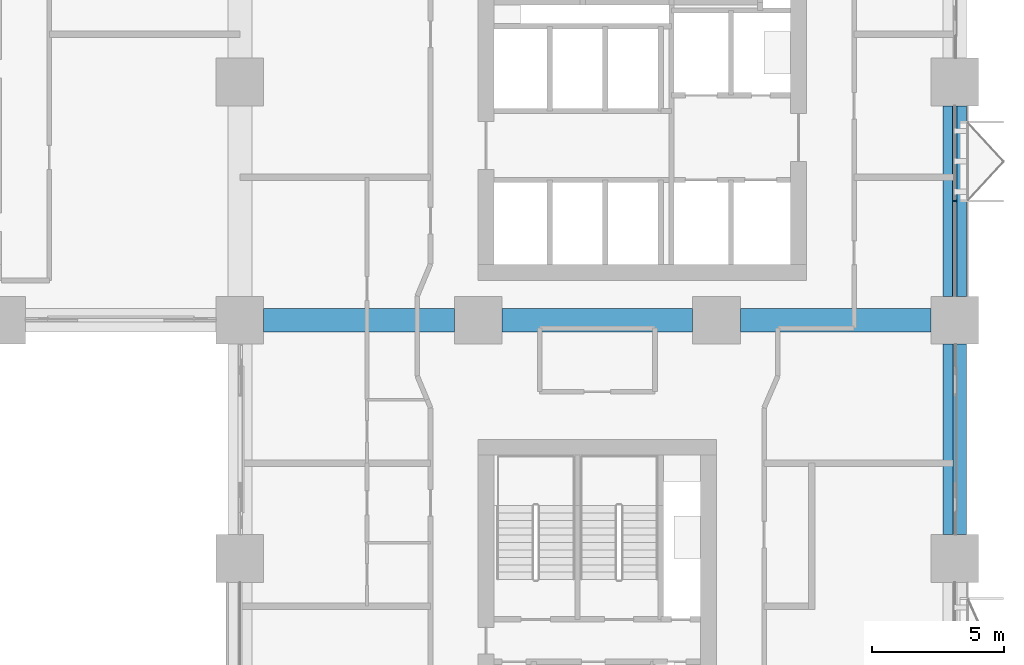
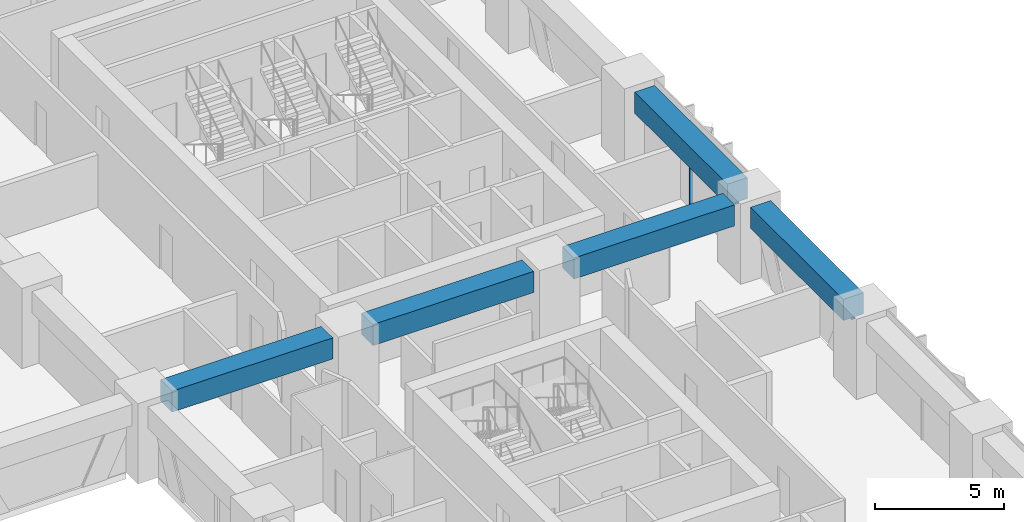
# One storey, part 5 of 18: 5 beams, 3 members, 2 elements without a shape of their own.
"""IFC4 building model written with IfcOpenShell, lengths in metres."""

from ifc_helpers import new_model, si_unit, direction, frame, origin, origin_2d, place, context, subcontext, project, spatial, rectangle, extrude, material, material_profile, profile_set, type_object, element, aggregate, save


model = new_model("IFC4")

# Units and contexts
model_context = context("Model", 3, precision=1e-05, world=origin(), true_north=direction((0.0, 1.0)))
body_context = subcontext(model_context, "Body", "Model", "MODEL_VIEW")
ifc_project = project(units=[si_unit("LENGTHUNIT", "METRE"), si_unit("AREAUNIT", "SQUARE_METRE"), si_unit("VOLUMEUNIT", "CUBIC_METRE"), si_unit("PLANEANGLEUNIT", "RADIAN"), si_unit("MASSUNIT", "GRAM", prefix="KILO")], contexts=[model_context])

# Site, building, storey
site_placement = place(None, origin())
site = spatial("IfcSite", under=ifc_project, at=site_placement, CompositionType="ELEMENT")
building_placement = place(site_placement, origin())
building = spatial("IfcBuilding", under=site, at=building_placement, Name="Tessera Arch", CompositionType="ELEMENT")
storey_placement = place(building_placement, frame((0.0, 0.0, 89.199951171875)))
storey = spatial("IfcBuildingStorey", under=building, at=storey_placement, Name="L20", CompositionType="ELEMENT", Elevation=89.199951171875)

# Curtain wall, members
ifc_material_1 = material(Name="CW1 curtain wall")
curtain_wall_type_1 = type_object("IfcCurtainWallType", Name="CW1 curtain wall", PredefinedType="NOTDEFINED", material=ifc_material_1)
curtain_wall_1_placement = place(storey_placement, origin())
curtain_wall_1 = element("IfcCurtainWall", 1, at=curtain_wall_1_placement, inside=storey, type_object=curtain_wall_type_1, Name="CW1 curtain wall E54.0/3 L20", PredefinedType="NOTDEFINED")
ifc_material_2 = material(Name="Anodised aluminium pale metal", Category="aluminium")
ifc_material_profile_1 = material_profile(ifc_material_2, rectangle(XDim=0.159912109375, YDim=0.06005859375, at=origin_2d()), Name="AL 60x160")
ifc_profile_set_1 = profile_set([ifc_material_profile_1], Name="Anodised aluminium pale metal")
member_type_1 = type_object("IfcMemberType", Name="CW1 mullion", PredefinedType="MULLION", material=ifc_profile_set_1)
member_1_placement = place(storey_placement, frame((54.0, 31.5, 0.0), z_axis=(0.0, 0.0, 1.0), x_axis=(-1.0, 0.0, 0.0)))
member_1 = element("IfcMember", 2, at=member_1_placement, type_object=member_type_1, Name="CW1 mullion E54.0/3 1", PredefinedType="MULLION", context=body_context, shape_type="SweptSolid", body=[
    extrude(rectangle(XDim=0.159912109375, YDim=0.06005859375, at=origin_2d()), origin(), (0.0, 0.0, 1.0), 2.400146484375),
])
ifc_material_3 = material(Name="Anodised aluminium pale metal", Category="aluminium")
ifc_material_profile_2 = material_profile(ifc_material_3, rectangle(XDim=0.159912109375, YDim=0.10009765625, at=origin_2d()), Name="AL 160x100")
ifc_profile_set_2 = profile_set([ifc_material_profile_2], Name="Anodised aluminium pale metal")
member_type_2 = type_object("IfcMemberType", Name="CW1 transom", PredefinedType="USERDEFINED", material=ifc_profile_set_2)
member_2_placement = place(storey_placement, frame((54.0, 27.89990234375, 2.449951171875), z_axis=(0.0, 1.0, 0.0), x_axis=(-1.0, 0.0, 0.0)))
member_2 = element("IfcMember", 3, at=member_2_placement, type_object=member_type_2, Name="CW1 transom E54.0/3 1.1", ObjectType="TRANSOM", PredefinedType="USERDEFINED", context=body_context, shape_type="SweptSolid", body=[
    extrude(rectangle(XDim=0.159912109375, YDim=0.10009765625, at=origin_2d()), origin(), (0.0, 0.0, 1.0), 7.2001953125),
])
aggregate(curtain_wall_1, [member_1, member_2])

# Curtain wall, member
ifc_material_4 = material(Name="CW3 curtain wall")
curtain_wall_type_2 = type_object("IfcCurtainWallType", Name="CW3 curtain wall", PredefinedType="NOTDEFINED", material=ifc_material_4)
curtain_wall_2_placement = place(storey_placement, origin())
curtain_wall_2 = element("IfcCurtainWall", 4, at=curtain_wall_2_placement, inside=storey, type_object=curtain_wall_type_2, Name="CW3 curtain wall E54.0/2 L20", PredefinedType="NOTDEFINED")
ifc_material_5 = material(Name="Anodised aluminium pale metal", Category="aluminium")
ifc_material_profile_3 = material_profile(ifc_material_5, rectangle(XDim=0.139892578125, YDim=0.10009765625, at=origin_2d()), Name="AL 140x100")
ifc_profile_set_3 = profile_set([ifc_material_profile_3], Name="Anodised aluminium pale metal")
member_type_3 = type_object("IfcMemberType", Name="CW3 transom", PredefinedType="USERDEFINED", material=ifc_profile_set_3)
member_3_placement = place(storey_placement, frame((54.0, 18.89990234375, 2.449951171875), z_axis=(0.0, 1.0, 0.0), x_axis=(-1.0, 0.0, 0.0)))
member_3 = element("IfcMember", 5, at=member_3_placement, type_object=member_type_3, Name="CW3 transom E54.0/2 1.1", ObjectType="TRANSOM", PredefinedType="USERDEFINED", context=body_context, shape_type="SweptSolid", body=[
    extrude(rectangle(XDim=0.139892578125, YDim=0.10009765625, at=origin_2d()), origin(), (0.0, 0.0, 1.0), 7.2001953125),
])
aggregate(curtain_wall_2, [member_3])

# Beams
ifc_material_6 = material(Name="Concrete C80/95", Category="concrete")
ifc_material_profile_4 = material_profile(ifc_material_6, rectangle(XDim=0.89990234375, YDim=1.0, at=origin_2d()), Name="RC spandrel beam 900 x 1000 Concrete C80/95")
ifc_profile_set_4 = profile_set([ifc_material_profile_4], Name="Concrete C80/95")
beam_type = type_object("IfcBeamType", Name="RC spandrel beam 900 x 1000 Concrete C80/95", PredefinedType="BEAM", material=ifc_profile_set_4)
for number, where, z_axis, x_axis, name in (
    (6, (54.0, 18.89990234375, 3.0), (0.0, 1.0, 0.0), (-1.0, 0.0, 0.0), "Spandrel beam L20 E54.0/2"),
    (7, (54.0, 27.89990234375, 3.0), (0.0, 1.0, 0.0), (-1.0, 0.0, 0.0), "Spandrel beam L20 E54.0/3"),
    (8, (27.89990234375, 27.0, 3.0), (1.0, 0.0, 0.0), (0.0, 1.0, 0.0), "Interface beam L20 I1C4D-C5D"),
    (9, (36.89990234375, 27.0, 3.0), (1.0, 0.0, 0.0), (0.0, 1.0, 0.0), "Interface beam L20 I1C5D-C6D"),
    (10, (45.89990234375, 27.0, 3.0), (1.0, 0.0, 0.0), (0.0, 1.0, 0.0), "Interface beam L20 I1C6D-C7D"),
):
    element("IfcBeam", number, at=place(storey_placement, frame(where, z_axis=z_axis, x_axis=x_axis)), inside=storey, type_object=beam_type, Name=name, PredefinedType="BEAM", context=body_context, shape_type="SweptSolid", body=[
        extrude(rectangle(XDim=0.89990234375, YDim=1.0, at=origin_2d()), origin(), (0.0, 0.0, 1.0), 7.2001953125),
    ])

save(model, "model.ifc")
